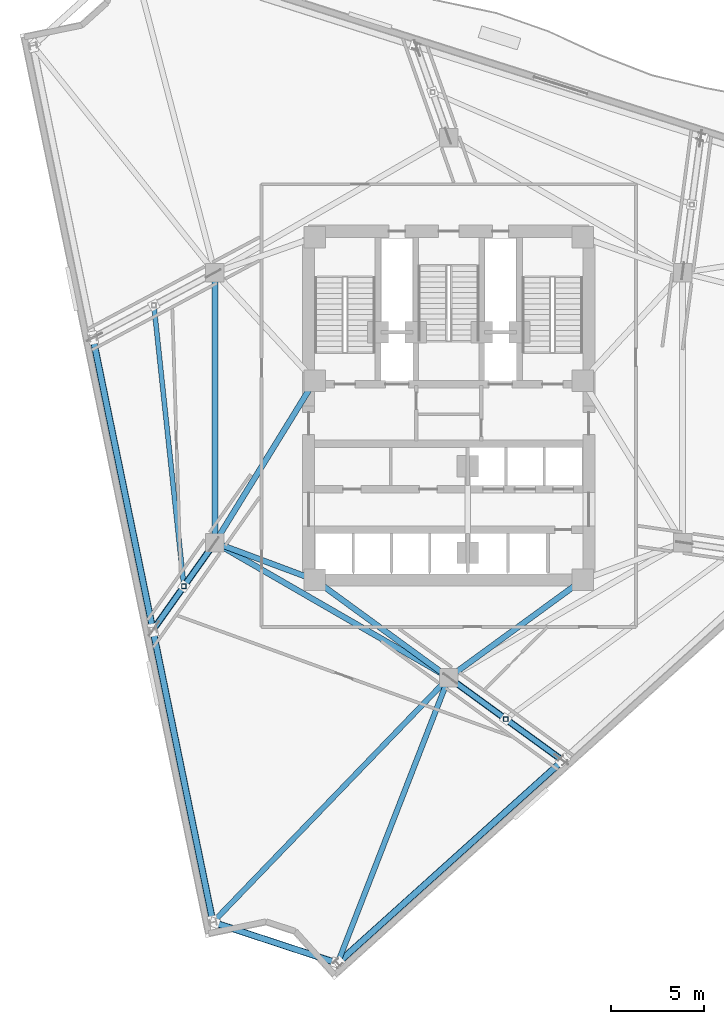
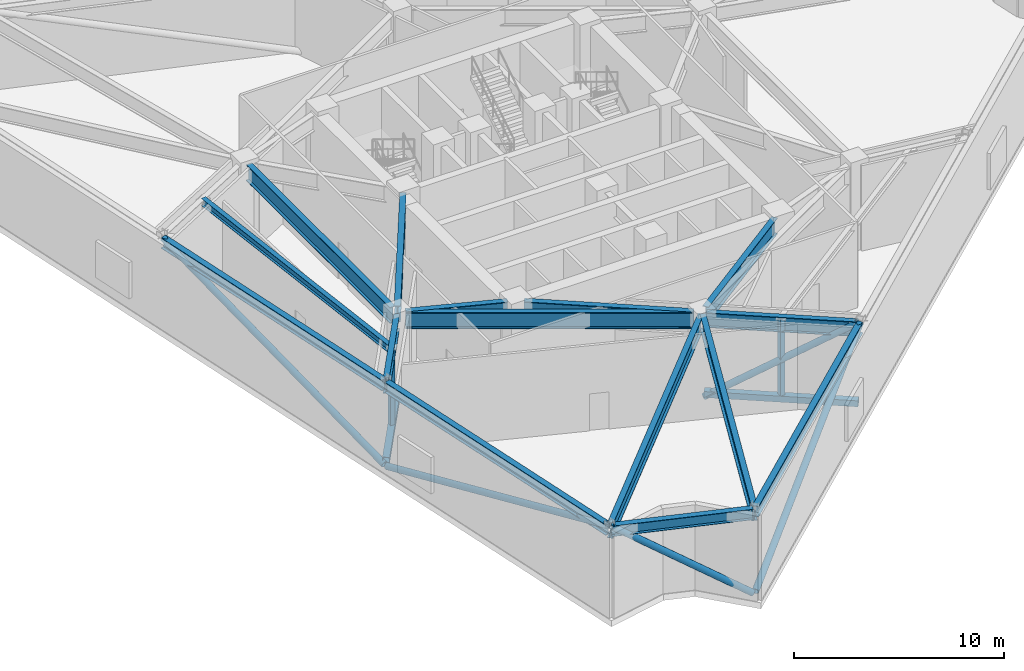
# One storey, part 4 of 16: 15 beams, 10 members.
"""IFC4 building model written with IfcOpenShell, lengths in metres."""

from ifc_helpers import new_model, si_unit, direction, frame, origin, origin_2d, place, context, subcontext, project, spatial, hollow_rectangle, hollow_circle, i_section, extrude, material, material_profile, profile_set, type_object, element, save


model = new_model("IFC4")

# Units and contexts
model_context = context("Model", 3, precision=1e-05, world=origin(), true_north=direction((0.0, 1.0)))
body_context = subcontext(model_context, "Body", "Model", "MODEL_VIEW")
ifc_project = project(units=[si_unit("LENGTHUNIT", "METRE"), si_unit("AREAUNIT", "SQUARE_METRE"), si_unit("VOLUMEUNIT", "CUBIC_METRE"), si_unit("PLANEANGLEUNIT", "RADIAN"), si_unit("MASSUNIT", "GRAM", prefix="KILO")], contexts=[model_context])

# Site, building, storey
site_placement = place(None, origin())
site = spatial("IfcSite", under=ifc_project, at=site_placement, CompositionType="ELEMENT")
building_placement = place(site_placement, origin())
building = spatial("IfcBuilding", under=site, at=building_placement, Name="Apsidion Concourse Tower", CompositionType="ELEMENT")
storey_placement = place(building_placement, frame((0.0, 0.0, 227.0)))
storey = spatial("IfcBuildingStorey", under=building, at=storey_placement, Name="L53", CompositionType="ELEMENT", Elevation=227.0)

# Beams
ifc_material_1 = material(Name="Structural steel ASTM A992 Grade 50", Category="steel")
ifc_material_profile_1 = material_profile(ifc_material_1, i_section(OverallWidth=0.260009765625, OverallDepth=0.4150390625, WebThickness=0.010009765625, FlangeThickness=0.016845703125, at=origin_2d()), Name="W16X67")
ifc_profile_set_1 = profile_set([ifc_material_profile_1], Name="Structural steel ASTM A992 Grade 50")
beam_type_1 = type_object("IfcBeamType", Name="BM-FL-W16H", PredefinedType="BEAM", material=ifc_profile_set_1)
beam_1_placement = place(storey_placement, frame((-15.83642578125, 5.500732421875, 4.742431640625), z_axis=(0.106172030497, -0.994347776153, 0.0), x_axis=(0.994347776153, 0.106172030497, 0.0)))
element("IfcBeam", 1, at=beam_1_placement, inside=storey, type_object=beam_type_1, Name="L53 Secondary Floor Beam SEC-F1", PredefinedType="BEAM", context=body_context, shape_type="SweptSolid", body=[
    extrude(i_section(OverallWidth=0.260009765625, OverallDepth=0.4150390625, WebThickness=0.010009765625, FlangeThickness=0.016845703125, at=origin_2d()), origin(), (0.0, 0.0, 1.0), 15.18359375),
])
ifc_material_profile_2 = material_profile(ifc_material_1, i_section(OverallWidth=0.2919921875, OverallDepth=0.85888671875, WebThickness=0.01708984375, FlangeThickness=0.031005859375, at=origin_2d()), Name="W33X169")
ifc_profile_set_2 = profile_set([ifc_material_profile_2], Name="Structural steel ASTM A992 Grade 50")
beam_type_2 = type_object("IfcBeamType", Name="BM-G-W33", PredefinedType="USERDEFINED", material=ifc_profile_set_2)
beam_2_placement = place(storey_placement, frame((-12.687255859375, -7.429443359375, 4.5205078125), z_axis=(-0.578459758238, -0.815710921895, 0.0), x_axis=(0.815710921895, -0.578459758238, 0.0)))
element("IfcBeam", 2, at=beam_2_placement, inside=storey, type_object=beam_type_2, Name="L53 Radial Floor Girder RAD-03", ObjectType="GIRDER", PredefinedType="USERDEFINED", context=body_context, shape_type="SweptSolid", body=[
    extrude(i_section(OverallWidth=0.2919921875, OverallDepth=0.85888671875, WebThickness=0.01708984375, FlangeThickness=0.031005859375, at=origin_2d()), origin(), (0.0, 0.0, 1.0), 5.434326171875),
])
beam_3_placement = place(storey_placement, frame((-0.152587890625, -14.658447265625, 4.5205078125), z_axis=(-0.693982841632, -0.719991538506, 0.0), x_axis=(0.719991538506, -0.693982841632, 0.0)))
element("IfcBeam", 3, at=beam_3_placement, inside=storey, type_object=beam_type_2, Name="L53 Radial Floor Girder RAD-04", ObjectType="GIRDER", PredefinedType="USERDEFINED", context=body_context, shape_type="SweptSolid", body=[
    extrude(i_section(OverallWidth=0.2919921875, OverallDepth=0.85888671875, WebThickness=0.01708984375, FlangeThickness=0.031005859375, at=origin_2d()), origin(), (0.0, 0.0, 1.0), 17.928955078125),
])
beam_4_placement = place(storey_placement, frame((-0.079833984375, -14.705078125, 4.5205078125), z_axis=(-0.36254845311, -0.931964923775, 0.0), x_axis=(0.931964923775, -0.36254845311, 0.0)))
element("IfcBeam", 4, at=beam_4_placement, inside=storey, type_object=beam_type_2, Name="L53 Radial Floor Girder RAD-05", ObjectType="GIRDER", PredefinedType="USERDEFINED", context=body_context, shape_type="SweptSolid", body=[
    extrude(i_section(OverallWidth=0.2919921875, OverallDepth=0.85888671875, WebThickness=0.01708984375, FlangeThickness=0.031005859375, at=origin_2d()), origin(), (0.0, 0.0, 1.0), 16.14013671875),
])
beam_5_placement = place(storey_placement, frame((0.177978515625, -14.62939453125, 4.5205078125), z_axis=(0.808567158699, -0.588403900288, 0.0), x_axis=(0.588403900288, 0.808567158699, 0.0)))
element("IfcBeam", 5, at=beam_5_placement, inside=storey, type_object=beam_type_2, Name="L53 Radial Floor Girder RAD-06", ObjectType="GIRDER", PredefinedType="USERDEFINED", context=body_context, shape_type="SweptSolid", body=[
    extrude(i_section(OverallWidth=0.2919921875, OverallDepth=0.85888671875, WebThickness=0.01708984375, FlangeThickness=0.031005859375, at=origin_2d()), origin(), (0.0, 0.0, 1.0), 7.251220703125),
])
ifc_material_profile_3 = material_profile(ifc_material_1, i_section(OverallWidth=0.31005859375, OverallDepth=0.931884765625, WebThickness=0.02099609375, FlangeThickness=0.034423828125, at=origin_2d()), Name="W36X210")
ifc_profile_set_3 = profile_set([ifc_material_profile_3], Name="Structural steel ASTM A992 Grade 50")
beam_type_3 = type_object("IfcBeamType", Name="BM-G-W36", PredefinedType="USERDEFINED", material=ifc_profile_set_3)
beam_6_placement = place(storey_placement, frame((-12.185302734375, -7.389892578125, 4.48388671875), z_axis=(0.936913021145, -0.349562570664, 0.0), x_axis=(0.349562570664, 0.936913021145, 0.0)))
element("IfcBeam", 6, at=beam_6_placement, inside=storey, type_object=beam_type_3, Name="L53 Core Coupling Girder IC1-SC1", ObjectType="GIRDER", PredefinedType="USERDEFINED", context=body_context, shape_type="SweptSolid", body=[
    extrude(i_section(OverallWidth=0.31005859375, OverallDepth=0.931884765625, WebThickness=0.02099609375, FlangeThickness=0.034423828125, at=origin_2d()), origin(), (0.0, 0.0, 1.0), 4.921142578125),
])
beam_7_placement = place(storey_placement, frame((-12.35009765625, -6.909423828125, 4.48388671875), z_axis=(0.524524009763, 0.851395656074, 0.0), x_axis=(-0.851395656074, 0.524524009763, 0.0)))
element("IfcBeam", 7, at=beam_7_placement, inside=storey, type_object=beam_type_3, Name="L53 Core Coupling Girder IC1-SC6", ObjectType="GIRDER", PredefinedType="USERDEFINED", context=body_context, shape_type="SweptSolid", body=[
    extrude(i_section(OverallWidth=0.31005859375, OverallDepth=0.931884765625, WebThickness=0.02099609375, FlangeThickness=0.034423828125, at=origin_2d()), origin(), (0.0, 0.0, 1.0), 9.41845703125),
])
for number, where, z_axis, x_axis, name in (
    (8, (-0.3232421875, -14.264404296875, 4.48388671875), (-0.807993498909, 0.589191399905, 0.0), (-0.589191399905, -0.807993498909, 0.0), "L53 Core Coupling Girder IC6-SC1"),
    (9, (0.3232421875, -14.264404296875, 4.48388671875), (0.807993498909, 0.589191399905, 0.0), (-0.589191399905, 0.807993498909, 0.0), "L53 Core Coupling Girder IC6-SC2"),
):
    element("IfcBeam", number, at=place(storey_placement, frame(where, z_axis=z_axis, x_axis=x_axis)), inside=storey, type_object=beam_type_3, Name=name, ObjectType="GIRDER", PredefinedType="USERDEFINED", context=body_context, shape_type="SweptSolid", body=[
        extrude(i_section(OverallWidth=0.31005859375, OverallDepth=0.931884765625, WebThickness=0.02099609375, FlangeThickness=0.034423828125, at=origin_2d()), origin(), (0.0, 0.0, 1.0), 8.11083984375),
    ])
beam_8_placement = place(storey_placement, frame((-12.56005859375, -6.85009765625, 4.48388671875), z_axis=(0.0, 1.0, 0.0), x_axis=(-1.0, 0.0, 0.0)))
element("IfcBeam", 10, at=beam_8_placement, inside=storey, type_object=beam_type_3, Name="L53 Core Coupling Girder IC1-IC5", ObjectType="GIRDER", PredefinedType="USERDEFINED", context=body_context, shape_type="SweptSolid", body=[
    extrude(i_section(OverallWidth=0.31005859375, OverallDepth=0.931884765625, WebThickness=0.02099609375, FlangeThickness=0.034423828125, at=origin_2d()), origin(), (0.0, 0.0, 1.0), 13.7001953125),
])
beam_9_placement = place(storey_placement, frame((-0.346435546875, -14.300048828125, 4.48388671875), z_axis=(-0.866070471464, 0.499921932364, 0.0), x_axis=(-0.499921932364, -0.866070471464, 0.0)))
element("IfcBeam", 11, at=beam_9_placement, inside=storey, type_object=beam_type_3, Name="L53 Core Coupling Girder IC6-IC1", ObjectType="GIRDER", PredefinedType="USERDEFINED", context=body_context, shape_type="SweptSolid", body=[
    extrude(i_section(OverallWidth=0.31005859375, OverallDepth=0.931884765625, WebThickness=0.02099609375, FlangeThickness=0.034423828125, at=origin_2d()), origin(), (0.0, 0.0, 1.0), 13.702392578125),
])
ifc_material_profile_4 = material_profile(ifc_material_1, i_section(OverallWidth=0.324951171875, OverallDepth=0.616943359375, WebThickness=0.013916015625, FlangeThickness=0.021484375, at=origin_2d()), Name="W24X117")
ifc_profile_set_4 = profile_set([ifc_material_profile_4], Name="Structural steel ASTM A992 Grade 50")
beam_type_4 = type_object("IfcBeamType", Name="BM-SP-W24", PredefinedType="SPANDREL", material=ifc_profile_set_4)
beam_10_placement = place(storey_placement, frame((-19.0927734375, 3.6533203125, 4.6416015625), z_axis=(0.201234954239, -0.979543002217, 0.0), x_axis=(0.979543002217, 0.201234954239, 0.0)))
element("IfcBeam", 12, at=beam_10_placement, inside=storey, type_object=beam_type_4, Name="L53 Perimeter Spandrel Girder SP-02", PredefinedType="SPANDREL", context=body_context, shape_type="SweptSolid", body=[
    extrude(i_section(OverallWidth=0.324951171875, OverallDepth=0.616943359375, WebThickness=0.013916015625, FlangeThickness=0.021484375, at=origin_2d()), origin(), (0.0, 0.0, 1.0), 15.82275390625),
])
beam_11_placement = place(storey_placement, frame((-15.86865234375, -12.041748046875, 4.6416015625), z_axis=(0.201231912796, -0.979543627039, 0.0), x_axis=(0.979543627039, 0.201231912796, 0.0)))
element("IfcBeam", 13, at=beam_11_placement, inside=storey, type_object=beam_type_4, Name="L53 Perimeter Spandrel Girder SP-03", PredefinedType="SPANDREL", context=body_context, shape_type="SweptSolid", body=[
    extrude(i_section(OverallWidth=0.324951171875, OverallDepth=0.616943359375, WebThickness=0.013916015625, FlangeThickness=0.021484375, at=origin_2d()), origin(), (0.0, 0.0, 1.0), 15.822998046875),
])
beam_12_placement = place(storey_placement, frame((-12.5693359375, -27.67041015625, 4.6416015625), z_axis=(0.950000938621, -0.312247044211, 0.0), x_axis=(0.312247044211, 0.950000938621, 0.0)))
element("IfcBeam", 14, at=beam_12_placement, inside=storey, type_object=beam_type_4, Name="L53 Perimeter Spandrel Girder SP-04", PredefinedType="SPANDREL", context=body_context, shape_type="SweptSolid", body=[
    extrude(i_section(OverallWidth=0.324951171875, OverallDepth=0.616943359375, WebThickness=0.013916015625, FlangeThickness=0.021484375, at=origin_2d()), origin(), (0.0, 0.0, 1.0), 6.849365234375),
])
beam_13_placement = place(storey_placement, frame((-5.893310546875, -29.773193359375, 4.6416015625), z_axis=(0.743150581284, 0.669124213833, 0.0), x_axis=(-0.669124213833, 0.743150581284, 0.0)))
element("IfcBeam", 15, at=beam_13_placement, inside=storey, type_object=beam_type_4, Name="L53 Perimeter Spandrel Girder SP-05", PredefinedType="SPANDREL", context=body_context, shape_type="SweptSolid", body=[
    extrude(i_section(OverallWidth=0.324951171875, OverallDepth=0.616943359375, WebThickness=0.013916015625, FlangeThickness=0.021484375, at=origin_2d()), origin(), (0.0, 0.0, 1.0), 16.06787109375),
])

# Members
ifc_material_2 = material(Name="Structural steel ASTM A500 Grade C", Category="steel")
ifc_material_profile_5 = material_profile(ifc_material_2, hollow_circle(Radius=0.177978515625, WallThickness=0.02001953125, at=origin_2d()), Name="CHS356X20")
ifc_profile_set_5 = profile_set([ifc_material_profile_5], Name="Structural steel ASTM A500 Grade C")
member_type_1 = type_object("IfcMemberType", Name="MB-BR-CHS356", PredefinedType="BRACE", material=ifc_profile_set_5)
member_1_placement = place(storey_placement, frame((-12.617919921875, -7.33154296875, 0.0), z_axis=(-0.435713121141, -0.614434962168, 0.657741403084), x_axis=(0.815718561427, -0.578448985256, 0.0)))
element("IfcMember", 16, at=member_1_placement, inside=storey, type_object=member_type_1, Name="L53 Radial Outrigger Truss Diagonal OT-01", PredefinedType="BRACE", context=body_context, shape_type="SweptSolid", body=[
    extrude(hollow_circle(Radius=0.177978515625, WallThickness=0.02001953125, at=origin_2d()), origin(), (0.0, 0.0, 1.0), 7.373779296875),
])
member_2_placement = place(storey_placement, frame((0.080810546875, -14.558837890625, 0.0), z_axis=(0.675473590002, -0.491532721353, 0.549664454962), x_axis=(0.588390273195, 0.80857707512, 0.0)))
element("IfcMember", 17, at=member_2_placement, inside=storey, type_object=member_type_1, Name="L53 Radial Outrigger Truss Diagonal OT-06", PredefinedType="BRACE", context=body_context, shape_type="SweptSolid", body=[
    extrude(hollow_circle(Radius=0.177978515625, WallThickness=0.02001953125, at=origin_2d()), origin(), (0.0, 0.0, 1.0), 8.82373046875),
])
member_3_placement = place(storey_placement, frame((-15.90869140625, -11.845703125, 0.0), z_axis=(-0.192399020565, 0.936532696023, 0.293068466687), x_axis=(-0.979543002217, -0.201234954239, 0.0)))
element("IfcMember", 18, at=member_3_placement, inside=storey, type_object=member_type_1, Name="L53 Perimeter Belt-Truss Diagonal BT-02", PredefinedType="BRACE", context=body_context, shape_type="SweptSolid", body=[
    extrude(hollow_circle(Radius=0.177978515625, WallThickness=0.02001953125, at=origin_2d()), origin(), (0.0, 0.0, 1.0), 16.54931640625),
])
member_4_placement = place(storey_placement, frame((-15.86865234375, -12.041748046875, 0.0), z_axis=(0.192396362418, -0.936534509134, 0.293064417712), x_axis=(0.979543627039, 0.201231912796, 0.0)))
element("IfcMember", 19, at=member_4_placement, inside=storey, type_object=member_type_1, Name="L53 Perimeter Belt-Truss Diagonal BT-03", PredefinedType="BRACE", context=body_context, shape_type="SweptSolid", body=[
    extrude(hollow_circle(Radius=0.177978515625, WallThickness=0.02001953125, at=origin_2d()), origin(), (0.0, 0.0, 1.0), 16.549560546875),
])
member_5_placement = place(storey_placement, frame((-6.0625, -29.80908203125, 0.0), z_axis=(-0.775303340871, 0.254827302492, 0.577899451063), x_axis=(-0.312247044211, -0.950000938621, 0.0)))
element("IfcMember", 20, at=member_5_placement, inside=storey, type_object=member_type_1, Name="L53 Perimeter Belt-Truss Diagonal BT-04", PredefinedType="BRACE", context=body_context, shape_type="SweptSolid", body=[
    extrude(hollow_circle(Radius=0.177978515625, WallThickness=0.02001953125, at=origin_2d()), origin(), (0.0, 0.0, 1.0), 8.392578125),
])
member_6_placement = place(storey_placement, frame((-5.893310546875, -29.773193359375, 0.0), z_axis=(0.71144610398, 0.640577868065, 0.288971341273), x_axis=(-0.669124213833, 0.743150581284, 0.0)))
element("IfcMember", 21, at=member_6_placement, inside=storey, type_object=member_type_1, Name="L53 Perimeter Belt-Truss Diagonal BT-05", PredefinedType="BRACE", context=body_context, shape_type="SweptSolid", body=[
    extrude(hollow_circle(Radius=0.177978515625, WallThickness=0.02001953125, at=origin_2d()), origin(), (0.0, 0.0, 1.0), 16.783935546875),
])
ifc_material_profile_6 = material_profile(ifc_material_2, hollow_rectangle(XDim=0.35009765625, YDim=0.35009765625, WallThickness=0.02197265625, at=origin_2d()), Name="HSS350X350X22")
ifc_profile_set_6 = profile_set([ifc_material_profile_6], Name="Structural steel ASTM A500 Grade C")
member_type_2 = type_object("IfcMemberType", Name="MB-CH-HSS350", PredefinedType="CHORD", material=ifc_profile_set_6)
member_7_placement = place(storey_placement, frame((-12.617919921875, -7.33154296875, 0.219970703125), z_axis=(-0.578448985256, -0.815718561427, 0.0), x_axis=(0.815718561427, -0.578448985256, 0.0)))
element("IfcMember", 22, at=member_7_placement, inside=storey, type_object=member_type_2, Name="L53 Radial Outrigger Bottom Chord OTC-01", PredefinedType="CHORD", context=body_context, shape_type="SweptSolid", body=[
    extrude(hollow_rectangle(XDim=0.35009765625, YDim=0.35009765625, WallThickness=0.02197265625, at=origin_2d()), origin(), (0.0, 0.0, 1.0), 5.55419921875),
])
member_8_placement = place(storey_placement, frame((0.080810546875, -14.558837890625, 0.219970703125), z_axis=(0.80857707512, -0.588390273195, 0.0), x_axis=(0.588390273195, 0.80857707512, 0.0)))
element("IfcMember", 23, at=member_8_placement, inside=storey, type_object=member_type_2, Name="L53 Radial Outrigger Bottom Chord OTC-06", PredefinedType="CHORD", context=body_context, shape_type="SweptSolid", body=[
    extrude(hollow_rectangle(XDim=0.35009765625, YDim=0.35009765625, WallThickness=0.02197265625, at=origin_2d()), origin(), (0.0, 0.0, 1.0), 7.371337890625),
])
ifc_material_profile_7 = material_profile(ifc_material_2, hollow_rectangle(XDim=0.25, YDim=0.25, WallThickness=0.01611328125, at=origin_2d()), Name="HSS250X250X16")
ifc_profile_set_7 = profile_set([ifc_material_profile_7], Name="Structural steel ASTM A500 Grade C")
member_type_3 = type_object("IfcMemberType", Name="MB-ST-HSS250", PredefinedType="STRUT", material=ifc_profile_set_7)
for number, where, z_axis, x_axis, name in (
    (24, (-14.224365234375, -9.596923828125, 0.219970703125), (0.0, 0.0, 1.0), (1.0, 0.0, 0.0), "L53 Outrigger Truss Compression Strut OTV-01"),
    (25, (3.060791015625, -16.7275390625, 0.219970703125), (0.0, 0.0, 1.0), (1.0, 0.0, 0.0), "L53 Outrigger Truss Compression Strut OTV-06"),
):
    element("IfcMember", number, at=place(storey_placement, frame(where, z_axis=z_axis, x_axis=x_axis)), inside=storey, type_object=member_type_3, Name=name, PredefinedType="STRUT", context=body_context, shape_type="SweptSolid", body=[
        extrude(hollow_rectangle(XDim=0.25, YDim=0.25, WallThickness=0.01611328125, at=origin_2d()), origin(), (0.0, 0.0, 1.0), 4.630126953125),
    ])

save(model, "model.ifc")
